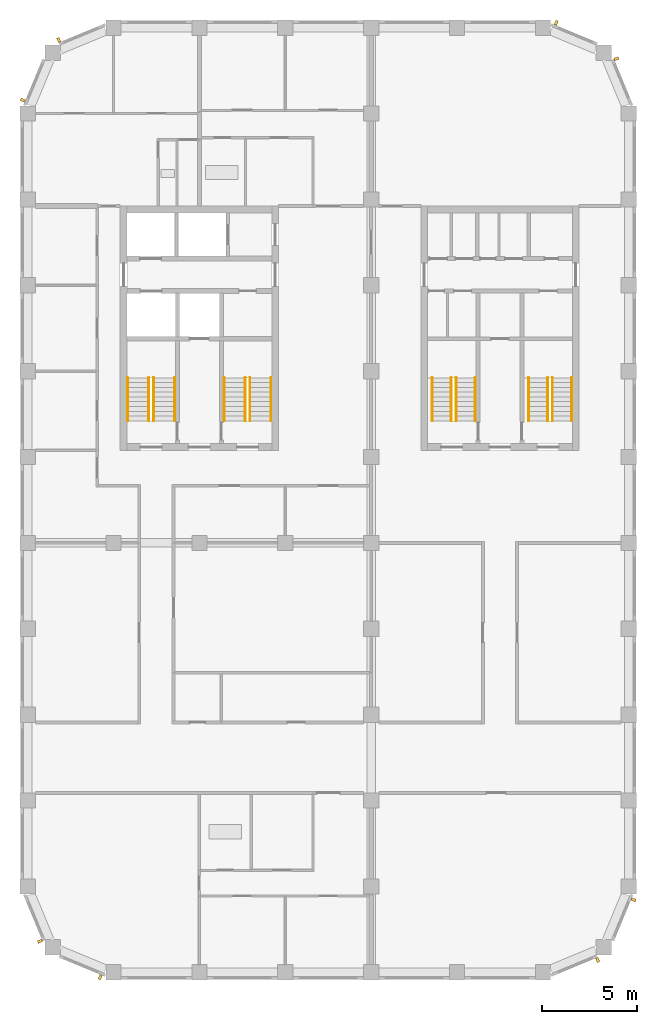
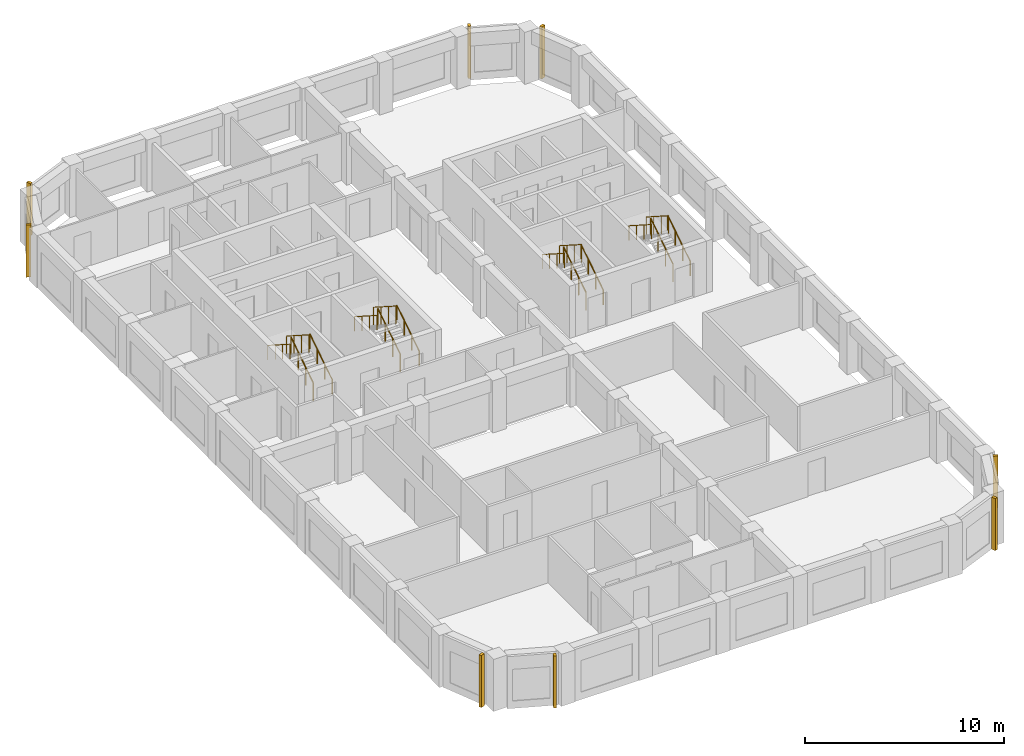
# One storey, part 8 of 9: 16 railings, 8 shading devices.
"""IFC4 building model written with IfcOpenShell, lengths in metres."""

from ifc_helpers import new_model, si_unit, direction, frame, origin, origin_2d, place, context, subcontext, project, spatial, rectangle, circle, extrude, material, type_object, element, save


model = new_model("IFC4")

# Units and contexts
model_context = context("Model", 3, precision=1e-05, world=origin(), true_north=direction((0.0, 1.0)))
body_context = subcontext(model_context, "Body", "Model", "MODEL_VIEW")
ifc_project = project(units=[si_unit("LENGTHUNIT", "METRE"), si_unit("AREAUNIT", "SQUARE_METRE"), si_unit("VOLUMEUNIT", "CUBIC_METRE"), si_unit("PLANEANGLEUNIT", "RADIAN"), si_unit("MASSUNIT", "GRAM", prefix="KILO")], contexts=[model_context])

# Site, building, storey
site_placement = place(None, origin())
site = spatial("IfcSite", under=ifc_project, at=site_placement, CompositionType="ELEMENT")
building_placement = place(site_placement, origin())
building = spatial("IfcBuilding", under=site, at=building_placement, Name="Girih Gate Residences", CompositionType="ELEMENT")
storey_placement = place(building_placement, frame((0.0, 0.0, 216.4951171875)))
storey = spatial("IfcBuildingStorey", under=building, at=storey_placement, Name="L60", CompositionType="ELEMENT", Elevation=216.4951171875)

# Shading devices
ifc_material_1 = material(Name="Precast concrete C50/60", Category="concrete")
shading_device_type = type_object("IfcShadingDeviceType", Name="Corner rib 150x250", PredefinedType="USERDEFINED", material=ifc_material_1)
for number, where, z_axis, x_axis, name in (
    (1, (29.867919921875, 0.646728515625, 0.0), (0.0, 0.0, 1.0), (0.923879532511, 0.382683432365, 0.0), "Corner rib SE0270_0000.0"),
    (2, (31.752685546875, 3.80322265625, 0.0), (0.0, 0.0, 1.0), (0.382683432365, 0.923879532511, 0.0), "Corner rib SE0302_0013.0"),
    (3, (30.853271484375, 47.867919921875, 0.0), (0.0, 0.0, 1.0), (-0.382683432365, 0.923879532511, 0.0), "Corner rib NE0315_0450.0"),
    (4, (27.69677734375, 49.752685546875, 0.0), (0.0, 0.0, 1.0), (-0.923879532511, 0.382683432365, 0.0), "Corner rib NE0302_0482.0"),
    (5, (1.632080078125, 48.853271484375, 0.0), (0.0, 0.0, 1.0), (-0.923879532511, -0.382683432365, 0.0), "Corner rib NW0045_0495.0"),
    (6, (-0.252685546875, 45.69677734375, 0.0), (0.0, 0.0, 1.0), (-0.382683432365, -0.923879532511, 0.0), "Corner rib NW0013_0482.0"),
    (7, (0.646728515625, 1.632080078125, 0.0), (0.0, 0.0, 1.0), (0.382683432365, -0.923879532511, 0.0), "Corner rib SW0000_0045.0"),
    (8, (3.80322265625, -0.252685546875, 0.0), (0.0, 0.0, 1.0), (0.923879532511, -0.382683432365, 0.0), "Corner rib SW0013_0013.0"),
):
    element("IfcShadingDevice", number, at=place(storey_placement, frame(where, z_axis=z_axis, x_axis=x_axis)), inside=storey, type_object=shading_device_type, Name=name, ObjectType="FIN", PredefinedType="USERDEFINED", context=body_context, shape_type="SweptSolid", body=[
        extrude(rectangle(XDim=0.14990234375, YDim=0.25, at=origin_2d()), origin(), (0.0, 0.0, 1.0), 3.199951171875),
    ])

# Railings
ifc_material_2 = material(Name="Stainless steel", Category="steel")
railing_type_1 = type_object("IfcRailingType", Name="Stair guard 1100", PredefinedType="GUARDRAIL", material=ifc_material_2)
railing_1_placement = place(storey_placement, frame((6.60009765625, 28.89990234375, 0.159912109375)))
element("IfcRailing", 9, at=railing_1_placement, inside=storey, type_object=railing_type_1, Name="L60 ST-W1 stair guard 1", PredefinedType="GUARDRAIL", context=body_context, shape_type="SweptSolid", body=[
    extrude(circle(Radius=0.02392578125, at=origin_2d()), frame((0.0, 0.0, 1.076171875), z_axis=(0.0, 0.842281359387, 0.539038135598), x_axis=(-1.0, 0.0, 0.0)), (0.0, 0.0, 1.0), 2.67138671875),
    extrude(circle(Radius=0.02099609375, at=origin_2d()), origin(), (0.0, 0.0, 1.0), 1.052001953125),
    extrude(circle(Radius=0.02099609375, at=origin_2d()), frame((0.0, 0.75, 0.47998046875)), (0.0, 0.0, 1.0), 1.052001953125),
    extrude(circle(Radius=0.02099609375, at=origin_2d()), frame((0.0, 1.5, 0.9599609375)), (0.0, 0.0, 1.0), 1.052001953125),
    extrude(circle(Radius=0.02099609375, at=origin_2d()), frame((0.0, 2.25, 1.43994140625)), (0.0, 0.0, 1.0), 1.052001953125),
])
railing_2_placement = place(storey_placement, frame((6.35009765625, 31.14990234375, 1.759765625)))
element("IfcRailing", 10, at=railing_2_placement, inside=storey, type_object=railing_type_1, Name="L60 ST-W1 stair guard 2", PredefinedType="GUARDRAIL", context=body_context, shape_type="SweptSolid", body=[
    extrude(circle(Radius=0.02392578125, at=origin_2d()), frame((0.0, 0.0, 1.076171875), z_axis=(0.0, -0.842239864353, 0.539102968731), x_axis=(1.0, 0.0, 0.0)), (0.0, 0.0, 1.0), 2.67138671875),
    extrude(circle(Radius=0.02099609375, at=origin_2d()), origin(), (0.0, 0.0, 1.0), 1.052001953125),
    extrude(circle(Radius=0.02099609375, at=origin_2d()), frame((0.0, -0.75, 0.47998046875)), (0.0, 0.0, 1.0), 1.052001953125),
    extrude(circle(Radius=0.02099609375, at=origin_2d()), frame((0.0, -1.5, 0.960205078125)), (0.0, 0.0, 1.0), 1.052001953125),
    extrude(circle(Radius=0.02099609375, at=origin_2d()), frame((0.0, -2.25, 1.440185546875)), (0.0, 0.0, 1.0), 1.052001953125),
])
railing_3_placement = place(storey_placement, frame((11.64990234375, 28.89990234375, 0.159912109375)))
element("IfcRailing", 11, at=railing_3_placement, inside=storey, type_object=railing_type_1, Name="L60 ST-W2 stair guard 1", PredefinedType="GUARDRAIL", context=body_context, shape_type="SweptSolid", body=[
    extrude(circle(Radius=0.02392578125, at=origin_2d()), frame((0.0, 0.0, 1.076171875), z_axis=(0.0, 0.842281359387, 0.539038135598), x_axis=(-1.0, 0.0, 0.0)), (0.0, 0.0, 1.0), 2.67138671875),
    extrude(circle(Radius=0.02099609375, at=origin_2d()), origin(), (0.0, 0.0, 1.0), 1.052001953125),
    extrude(circle(Radius=0.02099609375, at=origin_2d()), frame((0.0, 0.75, 0.47998046875)), (0.0, 0.0, 1.0), 1.052001953125),
    extrude(circle(Radius=0.02099609375, at=origin_2d()), frame((0.0, 1.5, 0.9599609375)), (0.0, 0.0, 1.0), 1.052001953125),
    extrude(circle(Radius=0.02099609375, at=origin_2d()), frame((0.0, 2.25, 1.43994140625)), (0.0, 0.0, 1.0), 1.052001953125),
])
railing_4_placement = place(storey_placement, frame((11.39990234375, 31.14990234375, 1.759765625)))
element("IfcRailing", 12, at=railing_4_placement, inside=storey, type_object=railing_type_1, Name="L60 ST-W2 stair guard 2", PredefinedType="GUARDRAIL", context=body_context, shape_type="SweptSolid", body=[
    extrude(circle(Radius=0.02392578125, at=origin_2d()), frame((0.0, 0.0, 1.076171875), z_axis=(0.0, -0.842239864353, 0.539102968731), x_axis=(1.0, 0.0, 0.0)), (0.0, 0.0, 1.0), 2.67138671875),
    extrude(circle(Radius=0.02099609375, at=origin_2d()), origin(), (0.0, 0.0, 1.0), 1.052001953125),
    extrude(circle(Radius=0.02099609375, at=origin_2d()), frame((0.0, -0.75, 0.47998046875)), (0.0, 0.0, 1.0), 1.052001953125),
    extrude(circle(Radius=0.02099609375, at=origin_2d()), frame((0.0, -1.5, 0.960205078125)), (0.0, 0.0, 1.0), 1.052001953125),
    extrude(circle(Radius=0.02099609375, at=origin_2d()), frame((0.0, -2.25, 1.440185546875)), (0.0, 0.0, 1.0), 1.052001953125),
])
railing_5_placement = place(storey_placement, frame((22.449951171875, 28.89990234375, 0.159912109375)))
element("IfcRailing", 13, at=railing_5_placement, inside=storey, type_object=railing_type_1, Name="L60 ST-C1 stair guard 1", PredefinedType="GUARDRAIL", context=body_context, shape_type="SweptSolid", body=[
    extrude(circle(Radius=0.02392578125, at=origin_2d()), frame((0.0, 0.0, 1.076171875), z_axis=(0.0, 0.842281359387, 0.539038135598), x_axis=(-1.0, 0.0, 0.0)), (0.0, 0.0, 1.0), 2.67138671875),
    extrude(circle(Radius=0.02099609375, at=origin_2d()), origin(), (0.0, 0.0, 1.0), 1.052001953125),
    extrude(circle(Radius=0.02099609375, at=origin_2d()), frame((0.0, 0.75, 0.47998046875)), (0.0, 0.0, 1.0), 1.052001953125),
    extrude(circle(Radius=0.02099609375, at=origin_2d()), frame((0.0, 1.5, 0.9599609375)), (0.0, 0.0, 1.0), 1.052001953125),
    extrude(circle(Radius=0.02099609375, at=origin_2d()), frame((0.0, 2.25, 1.43994140625)), (0.0, 0.0, 1.0), 1.052001953125),
])
railing_6_placement = place(storey_placement, frame((22.199951171875, 31.14990234375, 1.759765625)))
element("IfcRailing", 14, at=railing_6_placement, inside=storey, type_object=railing_type_1, Name="L60 ST-C1 stair guard 2", PredefinedType="GUARDRAIL", context=body_context, shape_type="SweptSolid", body=[
    extrude(circle(Radius=0.02392578125, at=origin_2d()), frame((0.0, 0.0, 1.076171875), z_axis=(0.0, -0.842239864353, 0.539102968731), x_axis=(1.0, 0.0, 0.0)), (0.0, 0.0, 1.0), 2.67138671875),
    extrude(circle(Radius=0.02099609375, at=origin_2d()), origin(), (0.0, 0.0, 1.0), 1.052001953125),
    extrude(circle(Radius=0.02099609375, at=origin_2d()), frame((0.0, -0.75, 0.47998046875)), (0.0, 0.0, 1.0), 1.052001953125),
    extrude(circle(Radius=0.02099609375, at=origin_2d()), frame((0.0, -1.5, 0.960205078125)), (0.0, 0.0, 1.0), 1.052001953125),
    extrude(circle(Radius=0.02099609375, at=origin_2d()), frame((0.0, -2.25, 1.440185546875)), (0.0, 0.0, 1.0), 1.052001953125),
])
railing_7_placement = place(storey_placement, frame((27.5, 28.89990234375, 0.159912109375)))
element("IfcRailing", 15, at=railing_7_placement, inside=storey, type_object=railing_type_1, Name="L60 ST-C2 stair guard 1", PredefinedType="GUARDRAIL", context=body_context, shape_type="SweptSolid", body=[
    extrude(circle(Radius=0.02392578125, at=origin_2d()), frame((0.0, 0.0, 1.076171875), z_axis=(0.0, 0.842281359387, 0.539038135598), x_axis=(-1.0, 0.0, 0.0)), (0.0, 0.0, 1.0), 2.67138671875),
    extrude(circle(Radius=0.02099609375, at=origin_2d()), origin(), (0.0, 0.0, 1.0), 1.052001953125),
    extrude(circle(Radius=0.02099609375, at=origin_2d()), frame((0.0, 0.75, 0.47998046875)), (0.0, 0.0, 1.0), 1.052001953125),
    extrude(circle(Radius=0.02099609375, at=origin_2d()), frame((0.0, 1.5, 0.9599609375)), (0.0, 0.0, 1.0), 1.052001953125),
    extrude(circle(Radius=0.02099609375, at=origin_2d()), frame((0.0, 2.25, 1.43994140625)), (0.0, 0.0, 1.0), 1.052001953125),
])
railing_8_placement = place(storey_placement, frame((27.25, 31.14990234375, 1.759765625)))
element("IfcRailing", 16, at=railing_8_placement, inside=storey, type_object=railing_type_1, Name="L60 ST-C2 stair guard 2", PredefinedType="GUARDRAIL", context=body_context, shape_type="SweptSolid", body=[
    extrude(circle(Radius=0.02392578125, at=origin_2d()), frame((0.0, 0.0, 1.076171875), z_axis=(0.0, -0.842239864353, 0.539102968731), x_axis=(1.0, 0.0, 0.0)), (0.0, 0.0, 1.0), 2.67138671875),
    extrude(circle(Radius=0.02099609375, at=origin_2d()), origin(), (0.0, 0.0, 1.0), 1.052001953125),
    extrude(circle(Radius=0.02099609375, at=origin_2d()), frame((0.0, -0.75, 0.47998046875)), (0.0, 0.0, 1.0), 1.052001953125),
    extrude(circle(Radius=0.02099609375, at=origin_2d()), frame((0.0, -1.5, 0.960205078125)), (0.0, 0.0, 1.0), 1.052001953125),
    extrude(circle(Radius=0.02099609375, at=origin_2d()), frame((0.0, -2.25, 1.440185546875)), (0.0, 0.0, 1.0), 1.052001953125),
])
railing_type_2 = type_object("IfcRailingType", Name="Stair handrail 900", PredefinedType="HANDRAIL", material=ifc_material_2)
railing_9_placement = place(storey_placement, frame((7.699951171875, 28.89990234375, 0.159912109375)))
element("IfcRailing", 17, at=railing_9_placement, inside=storey, type_object=railing_type_2, Name="L60 ST-W1 stair handrail 1", PredefinedType="HANDRAIL", context=body_context, shape_type="SweptSolid", body=[
    extrude(circle(Radius=0.02392578125, at=origin_2d()), frame((0.0, 0.0, 0.8857421875), z_axis=(0.0, 0.842281359387, 0.539038135598), x_axis=(-1.0, 0.0, 0.0)), (0.0, 0.0, 1.0), 2.67138671875),
    extrude(circle(Radius=0.02099609375, at=origin_2d()), origin(), (0.0, 0.0, 1.0), 0.86181640625),
    extrude(circle(Radius=0.02099609375, at=origin_2d()), frame((0.0, 0.75, 0.47998046875)), (0.0, 0.0, 1.0), 0.86181640625),
    extrude(circle(Radius=0.02099609375, at=origin_2d()), frame((0.0, 1.5, 0.9599609375)), (0.0, 0.0, 1.0), 0.86181640625),
    extrude(circle(Radius=0.02099609375, at=origin_2d()), frame((0.0, 2.25, 1.43994140625)), (0.0, 0.0, 1.0), 0.86181640625),
])
railing_10_placement = place(storey_placement, frame((5.25, 31.14990234375, 1.759765625)))
element("IfcRailing", 18, at=railing_10_placement, inside=storey, type_object=railing_type_2, Name="L60 ST-W1 stair handrail 2", PredefinedType="HANDRAIL", context=body_context, shape_type="SweptSolid", body=[
    extrude(circle(Radius=0.02392578125, at=origin_2d()), frame((0.0, 0.0, 0.8857421875), z_axis=(0.0, -0.842239864353, 0.539102968731), x_axis=(1.0, 0.0, 0.0)), (0.0, 0.0, 1.0), 2.67138671875),
    extrude(circle(Radius=0.02099609375, at=origin_2d()), origin(), (0.0, 0.0, 1.0), 0.86181640625),
    extrude(circle(Radius=0.02099609375, at=origin_2d()), frame((0.0, -0.75, 0.47998046875)), (0.0, 0.0, 1.0), 0.86181640625),
    extrude(circle(Radius=0.02099609375, at=origin_2d()), frame((0.0, -1.5, 0.960205078125)), (0.0, 0.0, 1.0), 0.86181640625),
    extrude(circle(Radius=0.02099609375, at=origin_2d()), frame((0.0, -2.25, 1.440185546875)), (0.0, 0.0, 1.0), 0.86181640625),
])
railing_11_placement = place(storey_placement, frame((12.75, 28.89990234375, 0.159912109375)))
element("IfcRailing", 19, at=railing_11_placement, inside=storey, type_object=railing_type_2, Name="L60 ST-W2 stair handrail 1", PredefinedType="HANDRAIL", context=body_context, shape_type="SweptSolid", body=[
    extrude(circle(Radius=0.02392578125, at=origin_2d()), frame((0.0, 0.0, 0.8857421875), z_axis=(0.0, 0.842281359387, 0.539038135598), x_axis=(-1.0, 0.0, 0.0)), (0.0, 0.0, 1.0), 2.67138671875),
    extrude(circle(Radius=0.02099609375, at=origin_2d()), origin(), (0.0, 0.0, 1.0), 0.86181640625),
    extrude(circle(Radius=0.02099609375, at=origin_2d()), frame((0.0, 0.75, 0.47998046875)), (0.0, 0.0, 1.0), 0.86181640625),
    extrude(circle(Radius=0.02099609375, at=origin_2d()), frame((0.0, 1.5, 0.9599609375)), (0.0, 0.0, 1.0), 0.86181640625),
    extrude(circle(Radius=0.02099609375, at=origin_2d()), frame((0.0, 2.25, 1.43994140625)), (0.0, 0.0, 1.0), 0.86181640625),
])
railing_12_placement = place(storey_placement, frame((10.300048828125, 31.14990234375, 1.759765625)))
element("IfcRailing", 20, at=railing_12_placement, inside=storey, type_object=railing_type_2, Name="L60 ST-W2 stair handrail 2", PredefinedType="HANDRAIL", context=body_context, shape_type="SweptSolid", body=[
    extrude(circle(Radius=0.02392578125, at=origin_2d()), frame((0.0, 0.0, 0.8857421875), z_axis=(0.0, -0.842239864353, 0.539102968731), x_axis=(1.0, 0.0, 0.0)), (0.0, 0.0, 1.0), 2.67138671875),
    extrude(circle(Radius=0.02099609375, at=origin_2d()), origin(), (0.0, 0.0, 1.0), 0.86181640625),
    extrude(circle(Radius=0.02099609375, at=origin_2d()), frame((0.0, -0.75, 0.47998046875)), (0.0, 0.0, 1.0), 0.86181640625),
    extrude(circle(Radius=0.02099609375, at=origin_2d()), frame((0.0, -1.5, 0.960205078125)), (0.0, 0.0, 1.0), 0.86181640625),
    extrude(circle(Radius=0.02099609375, at=origin_2d()), frame((0.0, -2.25, 1.440185546875)), (0.0, 0.0, 1.0), 0.86181640625),
])
railing_13_placement = place(storey_placement, frame((23.449951171875, 28.89990234375, 0.159912109375)))
element("IfcRailing", 21, at=railing_13_placement, inside=storey, type_object=railing_type_2, Name="L60 ST-C1 stair handrail 1", PredefinedType="HANDRAIL", context=body_context, shape_type="SweptSolid", body=[
    extrude(circle(Radius=0.02392578125, at=origin_2d()), frame((0.0, 0.0, 0.8857421875), z_axis=(0.0, 0.842281359387, 0.539038135598), x_axis=(-1.0, 0.0, 0.0)), (0.0, 0.0, 1.0), 2.67138671875),
    extrude(circle(Radius=0.02099609375, at=origin_2d()), origin(), (0.0, 0.0, 1.0), 0.86181640625),
    extrude(circle(Radius=0.02099609375, at=origin_2d()), frame((0.0, 0.75, 0.47998046875)), (0.0, 0.0, 1.0), 0.86181640625),
    extrude(circle(Radius=0.02099609375, at=origin_2d()), frame((0.0, 1.5, 0.9599609375)), (0.0, 0.0, 1.0), 0.86181640625),
    extrude(circle(Radius=0.02099609375, at=origin_2d()), frame((0.0, 2.25, 1.43994140625)), (0.0, 0.0, 1.0), 0.86181640625),
])
railing_14_placement = place(storey_placement, frame((21.199951171875, 31.14990234375, 1.759765625)))
element("IfcRailing", 22, at=railing_14_placement, inside=storey, type_object=railing_type_2, Name="L60 ST-C1 stair handrail 2", PredefinedType="HANDRAIL", context=body_context, shape_type="SweptSolid", body=[
    extrude(circle(Radius=0.02392578125, at=origin_2d()), frame((0.0, 0.0, 0.8857421875), z_axis=(0.0, -0.842239864353, 0.539102968731), x_axis=(1.0, 0.0, 0.0)), (0.0, 0.0, 1.0), 2.67138671875),
    extrude(circle(Radius=0.02099609375, at=origin_2d()), origin(), (0.0, 0.0, 1.0), 0.86181640625),
    extrude(circle(Radius=0.02099609375, at=origin_2d()), frame((0.0, -0.75, 0.47998046875)), (0.0, 0.0, 1.0), 0.86181640625),
    extrude(circle(Radius=0.02099609375, at=origin_2d()), frame((0.0, -1.5, 0.960205078125)), (0.0, 0.0, 1.0), 0.86181640625),
    extrude(circle(Radius=0.02099609375, at=origin_2d()), frame((0.0, -2.25, 1.440185546875)), (0.0, 0.0, 1.0), 0.86181640625),
])
railing_15_placement = place(storey_placement, frame((28.5, 28.89990234375, 0.159912109375)))
element("IfcRailing", 23, at=railing_15_placement, inside=storey, type_object=railing_type_2, Name="L60 ST-C2 stair handrail 1", PredefinedType="HANDRAIL", context=body_context, shape_type="SweptSolid", body=[
    extrude(circle(Radius=0.02392578125, at=origin_2d()), frame((0.0, 0.0, 0.8857421875), z_axis=(0.0, 0.842281359387, 0.539038135598), x_axis=(-1.0, 0.0, 0.0)), (0.0, 0.0, 1.0), 2.67138671875),
    extrude(circle(Radius=0.02099609375, at=origin_2d()), origin(), (0.0, 0.0, 1.0), 0.86181640625),
    extrude(circle(Radius=0.02099609375, at=origin_2d()), frame((0.0, 0.75, 0.47998046875)), (0.0, 0.0, 1.0), 0.86181640625),
    extrude(circle(Radius=0.02099609375, at=origin_2d()), frame((0.0, 1.5, 0.9599609375)), (0.0, 0.0, 1.0), 0.86181640625),
    extrude(circle(Radius=0.02099609375, at=origin_2d()), frame((0.0, 2.25, 1.43994140625)), (0.0, 0.0, 1.0), 0.86181640625),
])
railing_16_placement = place(storey_placement, frame((26.25, 31.14990234375, 1.759765625)))
element("IfcRailing", 24, at=railing_16_placement, inside=storey, type_object=railing_type_2, Name="L60 ST-C2 stair handrail 2", PredefinedType="HANDRAIL", context=body_context, shape_type="SweptSolid", body=[
    extrude(circle(Radius=0.02392578125, at=origin_2d()), frame((0.0, 0.0, 0.8857421875), z_axis=(0.0, -0.842239864353, 0.539102968731), x_axis=(1.0, 0.0, 0.0)), (0.0, 0.0, 1.0), 2.67138671875),
    extrude(circle(Radius=0.02099609375, at=origin_2d()), origin(), (0.0, 0.0, 1.0), 0.86181640625),
    extrude(circle(Radius=0.02099609375, at=origin_2d()), frame((0.0, -0.75, 0.47998046875)), (0.0, 0.0, 1.0), 0.86181640625),
    extrude(circle(Radius=0.02099609375, at=origin_2d()), frame((0.0, -1.5, 0.960205078125)), (0.0, 0.0, 1.0), 0.86181640625),
    extrude(circle(Radius=0.02099609375, at=origin_2d()), frame((0.0, -2.25, 1.440185546875)), (0.0, 0.0, 1.0), 0.86181640625),
])

save(model, "model.ifc")
